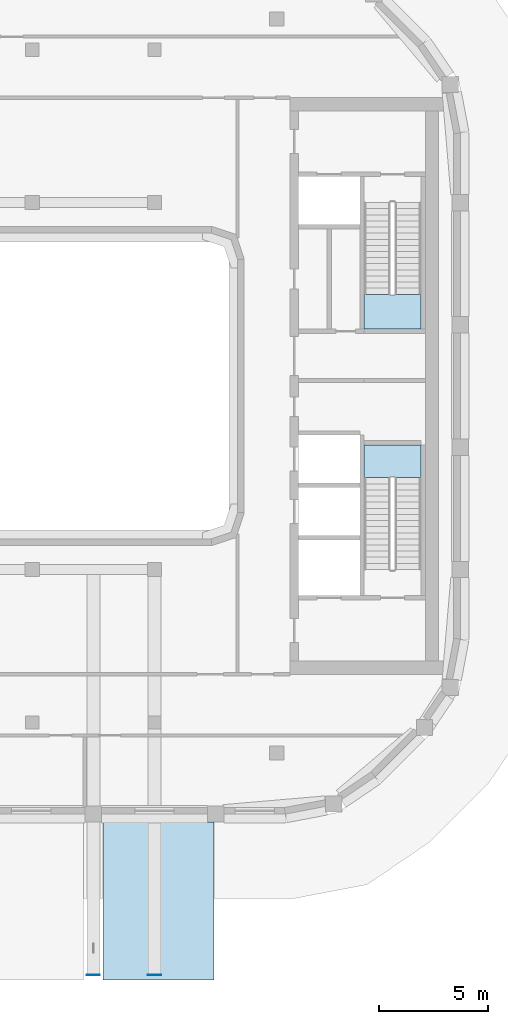
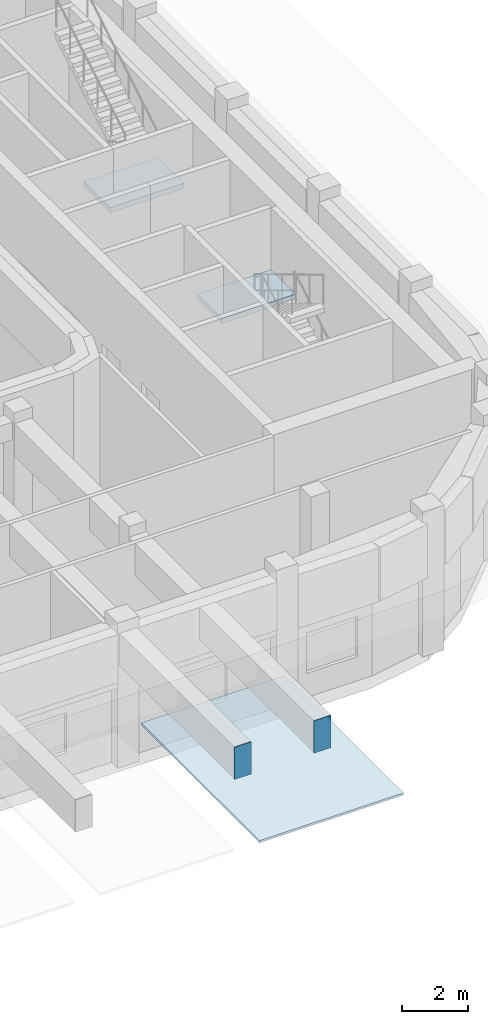
# One storey, part 4 of 17: 3 plates, 2 slabs, 2 elements without a shape of their own.
"""IFC4 building model written with IfcOpenShell, lengths in metres."""

from ifc_helpers import new_model, si_unit, direction, frame, origin, origin_2d, place, context, subcontext, project, spatial, polyline, rectangle, outline, extrude, material, layer, layer_set, type_object, element, aggregate, save


model = new_model("IFC4")

# Units and contexts
model_context = context("Model", 3, precision=1e-05, world=origin(), true_north=direction((0.0, 1.0)))
body_context = subcontext(model_context, "Body", "Model", "MODEL_VIEW")
ifc_project = project(units=[si_unit("LENGTHUNIT", "METRE"), si_unit("AREAUNIT", "SQUARE_METRE"), si_unit("VOLUMEUNIT", "CUBIC_METRE"), si_unit("PLANEANGLEUNIT", "RADIAN"), si_unit("MASSUNIT", "GRAM", prefix="KILO")], contexts=[model_context])

# Site, building, storey
site_placement = place(None, origin())
site = spatial("IfcSite", under=ifc_project, at=site_placement, CompositionType="ELEMENT")
building_placement = place(site_placement, origin())
building = spatial("IfcBuilding", under=site, at=building_placement, Name="Kiln Ring Residences", CompositionType="ELEMENT")
storey_placement = place(building_placement, frame((0.0, 0.0, 289.10009765625)))
storey = spatial("IfcBuildingStorey", under=building, at=storey_placement, Name="L75", CompositionType="ELEMENT", Elevation=289.10009765625)

# Stair, slab
ifc_material_1 = material(Name="Concrete C40/50", Category="concrete")
stair_type = type_object("IfcStairType", Name="CORE-STAIR", PredefinedType="HALF_TURN_STAIR", material=ifc_material_1)
placement_1 = place(storey_placement, origin())
stair_1 = element("IfcStair", 1, at=placement_1, inside=storey, type_object=stair_type, Name="L75 stair E-STN", PredefinedType="HALF_TURN_STAIR")
ifc_material_2 = material(Name="Concrete C40/50", Category="concrete")
ifc_layer_1 = layer(ifc_material_2, 0.199951171875)
ifc_layer_set_1 = layer_set([ifc_layer_1], Name="CORE-STAIR-LANDING")
slab_type = type_object("IfcSlabType", Name="CORE-STAIR-LANDING", PredefinedType="LANDING", material=ifc_layer_set_1)
placement_2 = place(storey_placement, frame((0.0, 0.0, 2.5)))
slab_1 = element("IfcSlab", 2, at=placement_2, type_object=slab_type, Name="E-STN landing 1", PredefinedType="LANDING", context=body_context, shape_type="SweptSolid", body=[
    extrude(outline(polyline([(20.800048828125, 4.199951171875), (20.800048828125, 2.60009765625), (23.39990234375, 2.60009765625), (23.39990234375, 4.199951171875), (20.800048828125, 4.199951171875)])), origin(), (0.0, 0.0, 1.0), 0.199951171875),
])
aggregate(stair_1, [slab_1])

stair_2 = element("IfcStair", 3, at=placement_1, inside=storey, type_object=stair_type, Name="L75 stair E-STS", PredefinedType="HALF_TURN_STAIR")
slab_2 = element("IfcSlab", 4, at=placement_2, type_object=slab_type, Name="E-STS landing 1", PredefinedType="LANDING", context=body_context, shape_type="SweptSolid", body=[
    extrude(outline(polyline([(23.39990234375, -4.199951171875), (23.39990234375, -2.699951171875), (20.800048828125, -2.699951171875), (20.800048828125, -4.199951171875), (23.39990234375, -4.199951171875)])), origin(), (0.0, 0.0, 1.0), 0.199951171875),
])
aggregate(stair_2, [slab_2])

# Plates
ifc_material_3 = material(Name="Steel S460", Category="steel")
ifc_layer_2 = layer(ifc_material_3, 0.030029296875)
ifc_layer_set_2 = layer_set([ifc_layer_2], Name="Cantilever girder end plate 30")
plate_type_1 = type_object("IfcPlateType", Name="Cantilever girder end plate 30", PredefinedType="SHEET", material=ifc_layer_set_2)
for number, where, z_axis, x_axis, name in (
    (5, (8.39990234375, -26.965087890625, 3.7998046875), (0.0, 0.0, 1.0), (1.0, 0.0, 0.0), "Cantilever girder end plate L75 5"),
    (6, (11.199951171875, -26.965087890625, 3.7998046875), (0.0, 0.0, 1.0), (1.0, 0.0, 0.0), "Cantilever girder end plate L75 6"),
):
    element("IfcPlate", number, at=place(storey_placement, frame(where, z_axis=z_axis, x_axis=x_axis)), inside=storey, type_object=plate_type_1, Name=name, PredefinedType="SHEET", context=body_context, shape_type="SweptSolid", body=[
        extrude(rectangle(XDim=0.60009765625, YDim=0.030029296875, at=origin_2d()), origin(), (0.0, 0.0, 1.0), 1.199951171875),
    ])
ifc_material_4 = material(Name="Glass, laminated structural, light blue tint", Category="glass")
ifc_layer_3 = layer(ifc_material_4, 0.080078125)
ifc_layer_set_3 = layer_set([ifc_layer_3], Name="SKY POOL TANK SKIRT 80")
plate_type_2 = type_object("IfcPlateType", Name="SKY POOL TANK SKIRT 80", PredefinedType="SHEET", material=ifc_layer_set_3)
plate_placement = place(storey_placement, frame((11.385009765625, -23.58740234375, 1.31982421875), z_axis=(0.0, 0.0, 1.0), x_axis=(1.0, 0.0, 0.0)))
element("IfcPlate", 7, at=plate_placement, inside=storey, type_object=plate_type_2, Name="SKY POOL TANK FLOOR 5", PredefinedType="SHEET", context=body_context, shape_type="SweptSolid", body=[
    extrude(rectangle(XDim=5.070068359375, YDim=7.22509765625, at=origin_2d()), origin(), (0.0, 0.0, 1.0), 0.080078125),
])

save(model, "model.ifc")
